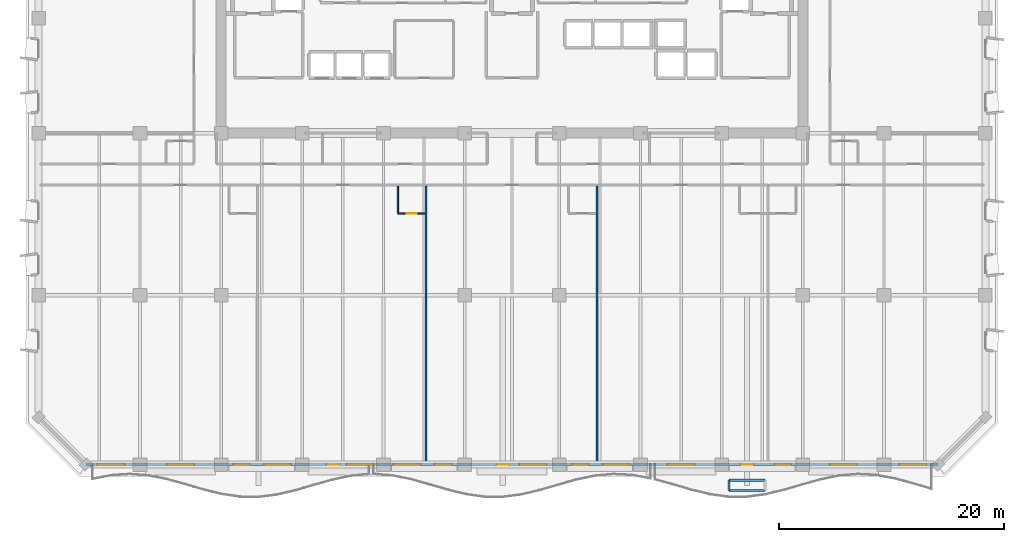
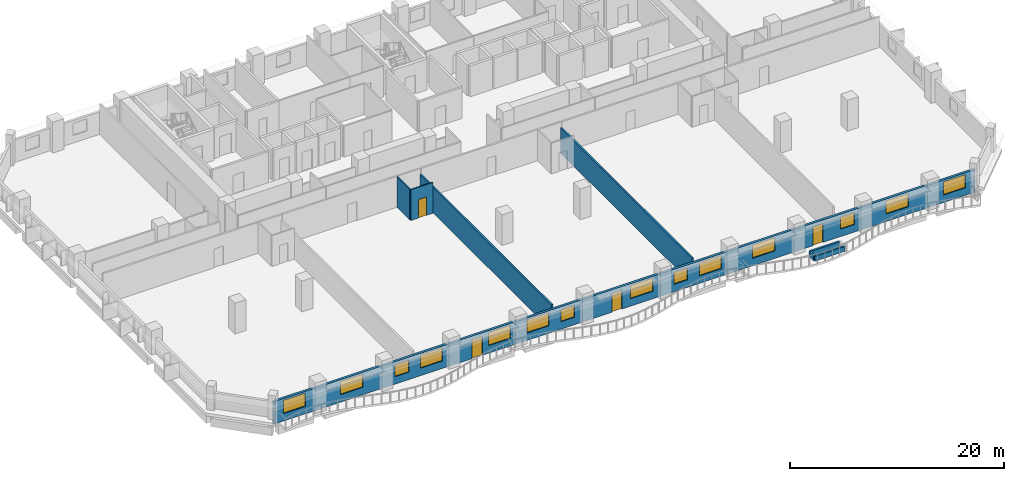
# One storey, part 5 of 14: 14 windows, 8 walls, 4 doors, 18 openings.
"""IFC4 building model written with IfcOpenShell, lengths in metres."""

from ifc_helpers import new_model, si_unit, direction, frame, frame_2d, origin, place, context, subcontext, project, spatial, rectangle, extrude, material, layer, layer_set, type_object, element, fill, save


model = new_model("IFC4")

# Units and contexts
model_context = context("Model", 3, precision=1e-05, world=origin(), true_north=direction((0.0, 1.0)))
body_context = subcontext(model_context, "Body", "Model", "MODEL_VIEW")
ifc_project = project(units=[si_unit("LENGTHUNIT", "METRE"), si_unit("AREAUNIT", "SQUARE_METRE"), si_unit("VOLUMEUNIT", "CUBIC_METRE"), si_unit("PLANEANGLEUNIT", "RADIAN"), si_unit("MASSUNIT", "GRAM", prefix="KILO")], contexts=[model_context])

# Site, building, storey
site_placement = place(None, origin())
site = spatial("IfcSite", under=ifc_project, at=site_placement, CompositionType="ELEMENT")
building_placement = place(site_placement, origin())
building = spatial("IfcBuilding", under=site, at=building_placement, Name="Kaelvorn Grand Hotel", CompositionType="ELEMENT")
storey_placement = place(building_placement, frame((0.0, 0.0, 123.050048828125)))
storey = spatial("IfcBuildingStorey", under=building, at=storey_placement, Name="L29", CompositionType="ELEMENT", Elevation=123.050048828125)

# Wall, openings, doors, windows
ifc_material_1 = material(Name="Concrete C40/50", Category="concrete")
ifc_layer_1 = layer(ifc_material_1, 0.260009765625)
ifc_layer_set_1 = layer_set([ifc_layer_1], Name="Concrete C40/50")
wall_type_1 = type_object("IfcWallType", Name="WL-EXT-260-C40", PredefinedType="SOLIDWALL", material=ifc_layer_set_1)
wall_1_placement = place(storey_placement, frame((4.199951171875, 0.0, 0.0), z_axis=(0.0, 0.0, 1.0), x_axis=(1.0, 0.0, 0.0)))
wall_1 = element("IfcWall", 1, at=wall_1_placement, inside=storey, type_object=wall_type_1, Name="L29 Exterior Architectural Concrete Wall 01", PredefinedType="SOLIDWALL", context=body_context, shape_type="SweptSolid", body=[
    extrude(rectangle(XDim=75.60009765625, YDim=0.260009765625, at=frame_2d((37.800048828125, 0.0))), origin(), (0.0, 0.0, 1.0), 2.56005859375),
])
opening_1_placement = place(wall_1_placement, frame((21.38330078125, 0.0, 0.0)))
opening_1 = element("IfcOpeningElement", 2, at=opening_1_placement, cuts=wall_1, Name="Opening DE2", PredefinedType="OPENING", context=body_context, shape_type="SweptSolid", body=[
    extrude(rectangle(XDim=1.10009765625, YDim=2.14990234375, at=frame_2d((0.550048828125, 1.074951171875))), frame((0.0, 0.14013671875, 0.0), z_axis=(0.0, -1.0, 0.0), x_axis=(1.0, 0.0, 0.0)), (0.0, 0.0, 1.0), 0.280029296875),
])
opening_2_placement = place(wall_1_placement, frame((36.43212890625, 0.0, 0.0)))
opening_2 = element("IfcOpeningElement", 3, at=opening_2_placement, cuts=wall_1, Name="Opening DE2", PredefinedType="OPENING", context=body_context, shape_type="SweptSolid", body=[
    extrude(rectangle(XDim=1.10009765625, YDim=2.14990234375, at=frame_2d((0.550048828125, 1.074951171875))), frame((0.0, 0.14013671875, 0.0), z_axis=(0.0, -1.0, 0.0), x_axis=(1.0, 0.0, 0.0)), (0.0, 0.0, 1.0), 0.280029296875),
])
opening_3_placement = place(wall_1_placement, frame((58.094482421875, 0.0, 0.0)))
opening_3 = element("IfcOpeningElement", 4, at=opening_3_placement, cuts=wall_1, Name="Opening DE2", PredefinedType="OPENING", context=body_context, shape_type="SweptSolid", body=[
    extrude(rectangle(XDim=1.10009765625, YDim=2.14990234375, at=frame_2d((0.550048828125, 1.074951171875))), frame((0.0, 0.14013671875, 0.0), z_axis=(0.0, -1.0, 0.0), x_axis=(1.0, 0.0, 0.0)), (0.0, 0.0, 1.0), 0.280029296875),
])
opening_4_placement = place(wall_1_placement, frame((1.034912109375, 0.0, 0.85009765625)))
opening_4 = element("IfcOpeningElement", 5, at=opening_4_placement, cuts=wall_1, Name="Opening W6", PredefinedType="OPENING", context=body_context, shape_type="SweptSolid", body=[
    extrude(rectangle(XDim=2.39990234375, YDim=1.5, at=frame_2d((1.199951171875, 0.75))), frame((0.0, 0.14013671875, 0.0), z_axis=(0.0, -1.0, 0.0), x_axis=(1.0, 0.0, 0.0)), (0.0, 0.0, 1.0), 0.280029296875),
])
opening_5_placement = place(wall_1_placement, frame((7.199951171875, 0.0, 0.85009765625)))
opening_5 = element("IfcOpeningElement", 6, at=opening_5_placement, cuts=wall_1, Name="Opening W6", PredefinedType="OPENING", context=body_context, shape_type="SweptSolid", body=[
    extrude(rectangle(XDim=2.39990234375, YDim=1.5, at=frame_2d((1.199951171875, 0.75))), frame((0.0, 0.14013671875, 0.0), z_axis=(0.0, -1.0, 0.0), x_axis=(1.0, 0.0, 0.0)), (0.0, 0.0, 1.0), 0.280029296875),
])
opening_6_placement = place(wall_1_placement, frame((13.054931640625, 0.0, 0.85009765625)))
opening_6 = element("IfcOpeningElement", 7, at=opening_6_placement, cuts=wall_1, Name="Opening W10", PredefinedType="OPENING", context=body_context, shape_type="SweptSolid", body=[
    extrude(rectangle(XDim=1.5, YDim=1.39990234375, at=frame_2d((0.75, 0.699951171875))), frame((0.0, 0.14013671875, 0.0), z_axis=(0.0, -1.0, 0.0), x_axis=(1.0, 0.0, 0.0)), (0.0, 0.0, 1.0), 0.280029296875),
])
opening_7_placement = place(wall_1_placement, frame((15.804931640625, 0.0, 0.85009765625)))
opening_7 = element("IfcOpeningElement", 8, at=opening_7_placement, cuts=wall_1, Name="Opening W6", PredefinedType="OPENING", context=body_context, shape_type="SweptSolid", body=[
    extrude(rectangle(XDim=2.39990234375, YDim=1.5, at=frame_2d((1.199951171875, 0.75))), frame((0.0, 0.14013671875, 0.0), z_axis=(0.0, -1.0, 0.0), x_axis=(1.0, 0.0, 0.0)), (0.0, 0.0, 1.0), 0.280029296875),
])
opening_8_placement = place(wall_1_placement, frame((23.126708984375, 0.0, 0.85009765625)))
opening_8 = element("IfcOpeningElement", 9, at=opening_8_placement, cuts=wall_1, Name="Opening W6", PredefinedType="OPENING", context=body_context, shape_type="SweptSolid", body=[
    extrude(rectangle(XDim=2.39990234375, YDim=1.5, at=frame_2d((1.199951171875, 0.75))), frame((0.0, 0.14013671875, 0.0), z_axis=(0.0, -1.0, 0.0), x_axis=(1.0, 0.0, 0.0)), (0.0, 0.0, 1.0), 0.280029296875),
])
opening_9_placement = place(wall_1_placement, frame((27.284912109375, 0.0, 0.85009765625)))
opening_9 = element("IfcOpeningElement", 10, at=opening_9_placement, cuts=wall_1, Name="Opening W6", PredefinedType="OPENING", context=body_context, shape_type="SweptSolid", body=[
    extrude(rectangle(XDim=2.39990234375, YDim=1.5, at=frame_2d((1.199951171875, 0.75))), frame((0.0, 0.14013671875, 0.0), z_axis=(0.0, -1.0, 0.0), x_axis=(1.0, 0.0, 0.0)), (0.0, 0.0, 1.0), 0.280029296875),
])
opening_10_placement = place(wall_1_placement, frame((30.93505859375, 0.0, 0.85009765625)))
opening_10 = element("IfcOpeningElement", 11, at=opening_10_placement, cuts=wall_1, Name="Opening W10", PredefinedType="OPENING", context=body_context, shape_type="SweptSolid", body=[
    extrude(rectangle(XDim=1.5, YDim=1.39990234375, at=frame_2d((0.75, 0.699951171875))), frame((0.0, 0.14013671875, 0.0), z_axis=(0.0, -1.0, 0.0), x_axis=(1.0, 0.0, 0.0)), (0.0, 0.0, 1.0), 0.280029296875),
])
opening_11_placement = place(wall_1_placement, frame((38.451171875, 0.0, 0.85009765625)))
opening_11 = element("IfcOpeningElement", 12, at=opening_11_placement, cuts=wall_1, Name="Opening W6", PredefinedType="OPENING", context=body_context, shape_type="SweptSolid", body=[
    extrude(rectangle(XDim=2.39990234375, YDim=1.5, at=frame_2d((1.199951171875, 0.75))), frame((0.0, 0.14013671875, 0.0), z_axis=(0.0, -1.0, 0.0), x_axis=(1.0, 0.0, 0.0)), (0.0, 0.0, 1.0), 0.280029296875),
])
opening_12_placement = place(wall_1_placement, frame((43.114990234375, 0.0, 0.85009765625)))
opening_12 = element("IfcOpeningElement", 13, at=opening_12_placement, cuts=wall_1, Name="Opening W10", PredefinedType="OPENING", context=body_context, shape_type="SweptSolid", body=[
    extrude(rectangle(XDim=1.5, YDim=1.39990234375, at=frame_2d((0.75, 0.699951171875))), frame((0.0, 0.14013671875, 0.0), z_axis=(0.0, -1.0, 0.0), x_axis=(1.0, 0.0, 0.0)), (0.0, 0.0, 1.0), 0.280029296875),
])
opening_13_placement = place(wall_1_placement, frame((45.864990234375, 0.0, 0.85009765625)))
opening_13 = element("IfcOpeningElement", 14, at=opening_13_placement, cuts=wall_1, Name="Opening W6", PredefinedType="OPENING", context=body_context, shape_type="SweptSolid", body=[
    extrude(rectangle(XDim=2.39990234375, YDim=1.5, at=frame_2d((1.199951171875, 0.75))), frame((0.0, 0.14013671875, 0.0), z_axis=(0.0, -1.0, 0.0), x_axis=(1.0, 0.0, 0.0)), (0.0, 0.0, 1.0), 0.280029296875),
])
opening_14_placement = place(wall_1_placement, frame((51.60009765625, 0.0, 0.85009765625)))
opening_14 = element("IfcOpeningElement", 15, at=opening_14_placement, cuts=wall_1, Name="Opening W6", PredefinedType="OPENING", context=body_context, shape_type="SweptSolid", body=[
    extrude(rectangle(XDim=2.39990234375, YDim=1.5, at=frame_2d((1.199951171875, 0.75))), frame((0.0, 0.14013671875, 0.0), z_axis=(0.0, -1.0, 0.0), x_axis=(1.0, 0.0, 0.0)), (0.0, 0.0, 1.0), 0.280029296875),
])
opening_15_placement = place(wall_1_placement, frame((61.095458984375, 0.0, 0.85009765625)))
opening_15 = element("IfcOpeningElement", 16, at=opening_15_placement, cuts=wall_1, Name="Opening W10", PredefinedType="OPENING", context=body_context, shape_type="SweptSolid", body=[
    extrude(rectangle(XDim=1.5, YDim=1.39990234375, at=frame_2d((0.75, 0.699951171875))), frame((0.0, 0.14013671875, 0.0), z_axis=(0.0, -1.0, 0.0), x_axis=(1.0, 0.0, 0.0)), (0.0, 0.0, 1.0), 0.280029296875),
])
opening_16_placement = place(wall_1_placement, frame((66.0, 0.0, 0.85009765625)))
opening_16 = element("IfcOpeningElement", 17, at=opening_16_placement, cuts=wall_1, Name="Opening W6", PredefinedType="OPENING", context=body_context, shape_type="SweptSolid", body=[
    extrude(rectangle(XDim=2.39990234375, YDim=1.5, at=frame_2d((1.199951171875, 0.75))), frame((0.0, 0.14013671875, 0.0), z_axis=(0.0, -1.0, 0.0), x_axis=(1.0, 0.0, 0.0)), (0.0, 0.0, 1.0), 0.280029296875),
])
opening_17_placement = place(wall_1_placement, frame((72.1650390625, 0.0, 0.85009765625)))
opening_17 = element("IfcOpeningElement", 18, at=opening_17_placement, cuts=wall_1, Name="Opening W6", PredefinedType="OPENING", context=body_context, shape_type="SweptSolid", body=[
    extrude(rectangle(XDim=2.39990234375, YDim=1.5, at=frame_2d((1.199951171875, 0.75))), frame((0.0, 0.14013671875, 0.0), z_axis=(0.0, -1.0, 0.0), x_axis=(1.0, 0.0, 0.0)), (0.0, 0.0, 1.0), 0.280029296875),
])
ifc_material_2 = material(Name="Anodised Aluminium", Category="aluminium")
door_type_1 = type_object("IfcDoorType", Name="DR-EXT-BALC-1100x2150", OperationType="NOTDEFINED", PredefinedType="DOOR", material=ifc_material_2)
door_1_placement = place(opening_1_placement, origin())
door_1 = element("IfcDoor", 19, at=door_1_placement, inside=storey, type_object=door_type_1, Name="L29 Scalloped Balcony Glazed Door DE2-1", OperationType="SINGLE_SWING_LEFT", OverallHeight=2.14990234375, OverallWidth=1.10009765625, PredefinedType="DOOR", context=body_context, shape_type="SweptSolid", body=[
    extrude(rectangle(XDim=1.10009765625, YDim=2.14990234375, at=frame_2d((0.550048828125, 1.074951171875))), frame((0.0, 0.02490234375, 0.0), z_axis=(0.0, -1.0, 0.0), x_axis=(1.0, 0.0, 0.0)), (0.0, 0.0, 1.0), 0.050048828125),
])
fill(opening_1, door_1)
door_2_placement = place(opening_2_placement, origin())
door_2 = element("IfcDoor", 20, at=door_2_placement, inside=storey, type_object=door_type_1, Name="L29 Scalloped Balcony Glazed Door DE2-2", OperationType="SINGLE_SWING_RIGHT", OverallHeight=2.14990234375, OverallWidth=1.10009765625, PredefinedType="DOOR", context=body_context, shape_type="SweptSolid", body=[
    extrude(rectangle(XDim=1.10009765625, YDim=2.14990234375, at=frame_2d((0.550048828125, 1.074951171875))), frame((0.0, 0.02490234375, 0.0), z_axis=(0.0, -1.0, 0.0), x_axis=(1.0, 0.0, 0.0)), (0.0, 0.0, 1.0), 0.050048828125),
])
fill(opening_2, door_2)
door_3_placement = place(opening_3_placement, origin())
door_3 = element("IfcDoor", 21, at=door_3_placement, inside=storey, type_object=door_type_1, Name="L29 Scalloped Balcony Glazed Door DE2-3", OperationType="SINGLE_SWING_LEFT", OverallHeight=2.14990234375, OverallWidth=1.10009765625, PredefinedType="DOOR", context=body_context, shape_type="SweptSolid", body=[
    extrude(rectangle(XDim=1.10009765625, YDim=2.14990234375, at=frame_2d((0.550048828125, 1.074951171875))), frame((0.0, 0.02490234375, 0.0), z_axis=(0.0, -1.0, 0.0), x_axis=(1.0, 0.0, 0.0)), (0.0, 0.0, 1.0), 0.050048828125),
])
fill(opening_3, door_3)
ifc_material_3 = material(Name="Laminated Low-E Glass", Category="glass")
window_type_1 = type_object("IfcWindowType", Name="WIN-COR-1500x1400", PartitioningType="SINGLE_PANEL", PredefinedType="WINDOW", material=ifc_material_3)
window_1_placement = place(opening_6_placement, origin())
window_1 = element("IfcWindow", 22, at=window_1_placement, inside=storey, type_object=window_type_1, Name="L29 South Guestroom Ribbon Window SR03", OverallHeight=1.39990234375, OverallWidth=1.5, PartitioningType="SINGLE_PANEL", PredefinedType="WINDOW", context=body_context, shape_type="SweptSolid", body=[
    extrude(rectangle(XDim=1.5, YDim=1.39990234375, at=frame_2d((0.75, 0.699951171875))), frame((0.0, 0.030029296875, 0.0), z_axis=(0.0, -1.0, 0.0), x_axis=(1.0, 0.0, 0.0)), (0.0, 0.0, 1.0), 0.06005859375),
])
fill(opening_6, window_1)
window_2_placement = place(opening_10_placement, origin())
window_2 = element("IfcWindow", 23, at=window_2_placement, inside=storey, type_object=window_type_1, Name="L29 South Guestroom Ribbon Window SR07", OverallHeight=1.39990234375, OverallWidth=1.5, PartitioningType="SINGLE_PANEL", PredefinedType="WINDOW", context=body_context, shape_type="SweptSolid", body=[
    extrude(rectangle(XDim=1.5, YDim=1.39990234375, at=frame_2d((0.75, 0.699951171875))), frame((0.0, 0.030029296875, 0.0), z_axis=(0.0, -1.0, 0.0), x_axis=(1.0, 0.0, 0.0)), (0.0, 0.0, 1.0), 0.06005859375),
])
fill(opening_10, window_2)
window_3_placement = place(opening_12_placement, origin())
window_3 = element("IfcWindow", 24, at=window_3_placement, inside=storey, type_object=window_type_1, Name="L29 South Guestroom Ribbon Window SR09", OverallHeight=1.39990234375, OverallWidth=1.5, PartitioningType="SINGLE_PANEL", PredefinedType="WINDOW", context=body_context, shape_type="SweptSolid", body=[
    extrude(rectangle(XDim=1.5, YDim=1.39990234375, at=frame_2d((0.75, 0.699951171875))), frame((0.0, 0.030029296875, 0.0), z_axis=(0.0, -1.0, 0.0), x_axis=(1.0, 0.0, 0.0)), (0.0, 0.0, 1.0), 0.06005859375),
])
fill(opening_12, window_3)
window_4_placement = place(opening_15_placement, origin())
window_4 = element("IfcWindow", 25, at=window_4_placement, inside=storey, type_object=window_type_1, Name="L29 South Guestroom Ribbon Window SR12", OverallHeight=1.39990234375, OverallWidth=1.5, PartitioningType="SINGLE_PANEL", PredefinedType="WINDOW", context=body_context, shape_type="SweptSolid", body=[
    extrude(rectangle(XDim=1.5, YDim=1.39990234375, at=frame_2d((0.75, 0.699951171875))), frame((0.0, 0.030029296875, 0.0), z_axis=(0.0, -1.0, 0.0), x_axis=(1.0, 0.0, 0.0)), (0.0, 0.0, 1.0), 0.06005859375),
])
fill(opening_15, window_4)
window_type_2 = type_object("IfcWindowType", Name="WIN-NTH-2400x1500", PartitioningType="SINGLE_PANEL", PredefinedType="WINDOW", material=ifc_material_3)
window_5_placement = place(opening_4_placement, origin())
window_5 = element("IfcWindow", 26, at=window_5_placement, inside=storey, type_object=window_type_2, Name="L29 South Guestroom Ribbon Window SR01", OverallHeight=1.5, OverallWidth=2.39990234375, PartitioningType="SINGLE_PANEL", PredefinedType="WINDOW", context=body_context, shape_type="SweptSolid", body=[
    extrude(rectangle(XDim=2.39990234375, YDim=1.5, at=frame_2d((1.199951171875, 0.75))), frame((0.0, 0.030029296875, 0.0), z_axis=(0.0, -1.0, 0.0), x_axis=(1.0, 0.0, 0.0)), (0.0, 0.0, 1.0), 0.06005859375),
])
fill(opening_4, window_5)
window_6_placement = place(opening_5_placement, origin())
window_6 = element("IfcWindow", 27, at=window_6_placement, inside=storey, type_object=window_type_2, Name="L29 South Guestroom Ribbon Window SR02", OverallHeight=1.5, OverallWidth=2.39990234375, PartitioningType="SINGLE_PANEL", PredefinedType="WINDOW", context=body_context, shape_type="SweptSolid", body=[
    extrude(rectangle(XDim=2.39990234375, YDim=1.5, at=frame_2d((1.199951171875, 0.75))), frame((0.0, 0.030029296875, 0.0), z_axis=(0.0, -1.0, 0.0), x_axis=(1.0, 0.0, 0.0)), (0.0, 0.0, 1.0), 0.06005859375),
])
fill(opening_5, window_6)
window_7_placement = place(opening_7_placement, origin())
window_7 = element("IfcWindow", 28, at=window_7_placement, inside=storey, type_object=window_type_2, Name="L29 South Guestroom Ribbon Window SR04", OverallHeight=1.5, OverallWidth=2.39990234375, PartitioningType="SINGLE_PANEL", PredefinedType="WINDOW", context=body_context, shape_type="SweptSolid", body=[
    extrude(rectangle(XDim=2.39990234375, YDim=1.5, at=frame_2d((1.199951171875, 0.75))), frame((0.0, 0.030029296875, 0.0), z_axis=(0.0, -1.0, 0.0), x_axis=(1.0, 0.0, 0.0)), (0.0, 0.0, 1.0), 0.06005859375),
])
fill(opening_7, window_7)
window_8_placement = place(opening_8_placement, origin())
window_8 = element("IfcWindow", 29, at=window_8_placement, inside=storey, type_object=window_type_2, Name="L29 South Guestroom Ribbon Window SR05", OverallHeight=1.5, OverallWidth=2.39990234375, PartitioningType="SINGLE_PANEL", PredefinedType="WINDOW", context=body_context, shape_type="SweptSolid", body=[
    extrude(rectangle(XDim=2.39990234375, YDim=1.5, at=frame_2d((1.199951171875, 0.75))), frame((0.0, 0.030029296875, 0.0), z_axis=(0.0, -1.0, 0.0), x_axis=(1.0, 0.0, 0.0)), (0.0, 0.0, 1.0), 0.06005859375),
])
fill(opening_8, window_8)
window_9_placement = place(opening_9_placement, origin())
window_9 = element("IfcWindow", 30, at=window_9_placement, inside=storey, type_object=window_type_2, Name="L29 South Guestroom Ribbon Window SR06", OverallHeight=1.5, OverallWidth=2.39990234375, PartitioningType="SINGLE_PANEL", PredefinedType="WINDOW", context=body_context, shape_type="SweptSolid", body=[
    extrude(rectangle(XDim=2.39990234375, YDim=1.5, at=frame_2d((1.199951171875, 0.75))), frame((0.0, 0.030029296875, 0.0), z_axis=(0.0, -1.0, 0.0), x_axis=(1.0, 0.0, 0.0)), (0.0, 0.0, 1.0), 0.06005859375),
])
fill(opening_9, window_9)
window_10_placement = place(opening_11_placement, origin())
window_10 = element("IfcWindow", 31, at=window_10_placement, inside=storey, type_object=window_type_2, Name="L29 South Guestroom Ribbon Window SR08", OverallHeight=1.5, OverallWidth=2.39990234375, PartitioningType="SINGLE_PANEL", PredefinedType="WINDOW", context=body_context, shape_type="SweptSolid", body=[
    extrude(rectangle(XDim=2.39990234375, YDim=1.5, at=frame_2d((1.199951171875, 0.75))), frame((0.0, 0.030029296875, 0.0), z_axis=(0.0, -1.0, 0.0), x_axis=(1.0, 0.0, 0.0)), (0.0, 0.0, 1.0), 0.06005859375),
])
fill(opening_11, window_10)
window_11_placement = place(opening_13_placement, origin())
window_11 = element("IfcWindow", 32, at=window_11_placement, inside=storey, type_object=window_type_2, Name="L29 South Guestroom Ribbon Window SR10", OverallHeight=1.5, OverallWidth=2.39990234375, PartitioningType="SINGLE_PANEL", PredefinedType="WINDOW", context=body_context, shape_type="SweptSolid", body=[
    extrude(rectangle(XDim=2.39990234375, YDim=1.5, at=frame_2d((1.199951171875, 0.75))), frame((0.0, 0.030029296875, 0.0), z_axis=(0.0, -1.0, 0.0), x_axis=(1.0, 0.0, 0.0)), (0.0, 0.0, 1.0), 0.06005859375),
])
fill(opening_13, window_11)
window_12_placement = place(opening_14_placement, origin())
window_12 = element("IfcWindow", 33, at=window_12_placement, inside=storey, type_object=window_type_2, Name="L29 South Guestroom Ribbon Window SR11", OverallHeight=1.5, OverallWidth=2.39990234375, PartitioningType="SINGLE_PANEL", PredefinedType="WINDOW", context=body_context, shape_type="SweptSolid", body=[
    extrude(rectangle(XDim=2.39990234375, YDim=1.5, at=frame_2d((1.199951171875, 0.75))), frame((0.0, 0.030029296875, 0.0), z_axis=(0.0, -1.0, 0.0), x_axis=(1.0, 0.0, 0.0)), (0.0, 0.0, 1.0), 0.06005859375),
])
fill(opening_14, window_12)
window_13_placement = place(opening_16_placement, origin())
window_13 = element("IfcWindow", 34, at=window_13_placement, inside=storey, type_object=window_type_2, Name="L29 South Guestroom Ribbon Window SR13", OverallHeight=1.5, OverallWidth=2.39990234375, PartitioningType="SINGLE_PANEL", PredefinedType="WINDOW", context=body_context, shape_type="SweptSolid", body=[
    extrude(rectangle(XDim=2.39990234375, YDim=1.5, at=frame_2d((1.199951171875, 0.75))), frame((0.0, 0.030029296875, 0.0), z_axis=(0.0, -1.0, 0.0), x_axis=(1.0, 0.0, 0.0)), (0.0, 0.0, 1.0), 0.06005859375),
])
fill(opening_16, window_13)
window_14_placement = place(opening_17_placement, origin())
window_14 = element("IfcWindow", 35, at=window_14_placement, inside=storey, type_object=window_type_2, Name="L29 South Guestroom Ribbon Window SR14", OverallHeight=1.5, OverallWidth=2.39990234375, PartitioningType="SINGLE_PANEL", PredefinedType="WINDOW", context=body_context, shape_type="SweptSolid", body=[
    extrude(rectangle(XDim=2.39990234375, YDim=1.5, at=frame_2d((1.199951171875, 0.75))), frame((0.0, 0.030029296875, 0.0), z_axis=(0.0, -1.0, 0.0), x_axis=(1.0, 0.0, 0.0)), (0.0, 0.0, 1.0), 0.06005859375),
])
fill(opening_17, window_14)

# Wall, opening, door
ifc_material_4 = material(Name="Moisture-Resistant Tile & Stud Board")
ifc_layer_2 = layer(ifc_material_4, 0.125)
ifc_layer_set_2 = layer_set([ifc_layer_2], Name="Moisture-Resistant Tile & Stud Board")
wall_type_2 = type_object("IfcWallType", Name="WL-PART-125-WET", PredefinedType="PARTITIONING", material=ifc_layer_set_2)
wall_2_placement = place(storey_placement, frame((31.869384765625, 22.25, 0.0), z_axis=(0.0, 0.0, 1.0), x_axis=(1.0, 0.0, 0.0)))
wall_2 = element("IfcWall", 36, at=wall_2_placement, inside=storey, type_object=wall_type_2, Name="L29 En-suite Bathroom L29-02 S Partition", PredefinedType="PARTITIONING", context=body_context, shape_type="SweptSolid", body=[
    extrude(rectangle(XDim=2.405029296875, YDim=0.125, at=frame_2d((1.20263671875, 0.0))), origin(), (0.0, 0.0, 1.0), 3.510009765625),
])
opening_18_placement = place(wall_2_placement, frame((0.800048828125, 0.0, 0.0)))
opening_18 = element("IfcOpeningElement", 37, at=opening_18_placement, cuts=wall_2, Name="Opening DI4", PredefinedType="OPENING", context=body_context, shape_type="SweptSolid", body=[
    extrude(rectangle(XDim=0.89990234375, YDim=2.10009765625, at=frame_2d((0.449951171875, 1.050048828125))), frame((0.0, 0.072509765625, 0.0), z_axis=(0.0, -1.0, 0.0), x_axis=(1.0, 0.0, 0.0)), (0.0, 0.0, 1.0), 0.14501953125),
])
ifc_material_5 = material(Name="Timber Veneer Leaf", Category="wood")
door_type_2 = type_object("IfcDoorType", Name="DR-INT-BATH-900x2100", OperationType="NOTDEFINED", PredefinedType="DOOR", material=ifc_material_5)
door_4_placement = place(opening_18_placement, origin())
door_4 = element("IfcDoor", 38, at=door_4_placement, inside=storey, type_object=door_type_2, Name="L29 En-suite Bathroom L29-02 Door", OperationType="SINGLE_SWING_LEFT", OverallHeight=2.10009765625, OverallWidth=0.89990234375, PredefinedType="DOOR", context=body_context, shape_type="SweptSolid", body=[
    extrude(rectangle(XDim=0.89990234375, YDim=2.10009765625, at=frame_2d((0.449951171875, 1.050048828125))), frame((0.0, 0.02490234375, 0.0), z_axis=(0.0, -1.0, 0.0), x_axis=(1.0, 0.0, 0.0)), (0.0, 0.0, 1.0), 0.050048828125),
])
fill(opening_18, door_4)

# Walls
wall_3_placement = place(storey_placement, frame((31.869384765625, 22.3173828125, 0.0), z_axis=(0.0, 0.0, 1.0), x_axis=(0.0, 1.0, 0.0)))
element("IfcWall", 39, at=wall_3_placement, inside=storey, type_object=wall_type_2, Name="L29 En-suite Bathroom L29-02 W Partition", PredefinedType="PARTITIONING", context=body_context, shape_type="SweptSolid", body=[
    extrude(rectangle(XDim=2.3876953125, YDim=0.125, at=frame_2d((1.19384765625, 0.0))), origin(), (0.0, 0.0, 1.0), 3.510009765625),
])
ifc_material_6 = material(Name="Acoustic Gypsum & Stud Partition")
ifc_layer_3 = layer(ifc_material_6, 0.179931640625)
ifc_layer_set_3 = layer_set([ifc_layer_3], Name="Acoustic Gypsum & Stud Partition")
wall_type_3 = type_object("IfcWallType", Name="WL-PART-180-EI60", PredefinedType="PARTITIONING", material=ifc_layer_set_3)
for number, where, z_axis, x_axis, name in (
    (40, (34.369384765625, 0.14990234375, 0.0), (0.0, 0.0, 1.0), (0.0, 1.0, 0.0), "L29 Presidential Sky Suite L29-02 E Partition"),
    (41, (49.530029296875, 0.14990234375, 0.0), (0.0, 0.0, 1.0), (0.0, 1.0, 0.0), "L29 Presidential Sky Suite L29-03 E Partition"),
):
    element("IfcWall", number, at=place(storey_placement, frame(where, z_axis=z_axis, x_axis=x_axis)), inside=storey, type_object=wall_type_3, Name=name, PredefinedType="PARTITIONING", context=body_context, shape_type="SweptSolid", body=[
        extrude(rectangle(XDim=24.55517578125, YDim=0.179931640625, at=frame_2d((12.277587890625, 0.0))), origin(), (0.0, 0.0, 1.0), 2.897705078125),
    ])
ifc_layer_4 = layer(ifc_material_1, 0.199951171875)
ifc_layer_set_4 = layer_set([ifc_layer_4], Name="Concrete C40/50")
wall_type_4 = type_object("IfcWallType", Name="WL-TREE-PLANTER-200", PredefinedType="PARAPET", material=ifc_layer_set_4)
for number, where, z_axis, x_axis, name in (
    (42, (61.244384765625, -2.300048828125, 0.0), (0.0, 0.0, 1.0), (1.0, 0.0, 0.0), "L29 Planted Balcony Structural TREE PLANTER Kerb 1-S"),
    (43, (64.4443359375, -1.39990234375, 0.0), (0.0, 0.0, 1.0), (-1.0, 0.0, 0.0), "L29 Planted Balcony Structural TREE PLANTER Kerb 1-N"),
):
    element("IfcWall", number, at=place(storey_placement, frame(where, z_axis=z_axis, x_axis=x_axis)), inside=storey, type_object=wall_type_4, Name=name, PredefinedType="PARAPET", context=body_context, shape_type="SweptSolid", body=[
        extrude(rectangle(XDim=3.199951171875, YDim=0.199951171875, at=frame_2d((1.60009765625, 0.0))), origin(), (0.0, 0.0, 1.0), 0.550048828125),
    ])
wall_4_placement = place(storey_placement, frame((61.244384765625, -1.39990234375, 0.0), z_axis=(0.0, 0.0, 1.0), x_axis=(0.0, -1.0, 0.0)))
element("IfcWall", 44, at=wall_4_placement, inside=storey, type_object=wall_type_4, Name="L29 Planted Balcony Structural TREE PLANTER Kerb 1-W", PredefinedType="PARAPET", context=body_context, shape_type="SweptSolid", body=[
    extrude(rectangle(XDim=0.900146484375, YDim=0.199951171875, at=frame_2d((0.4501953125, 0.0))), origin(), (0.0, 0.0, 1.0), 0.550048828125),
])

save(model, "model.ifc")
